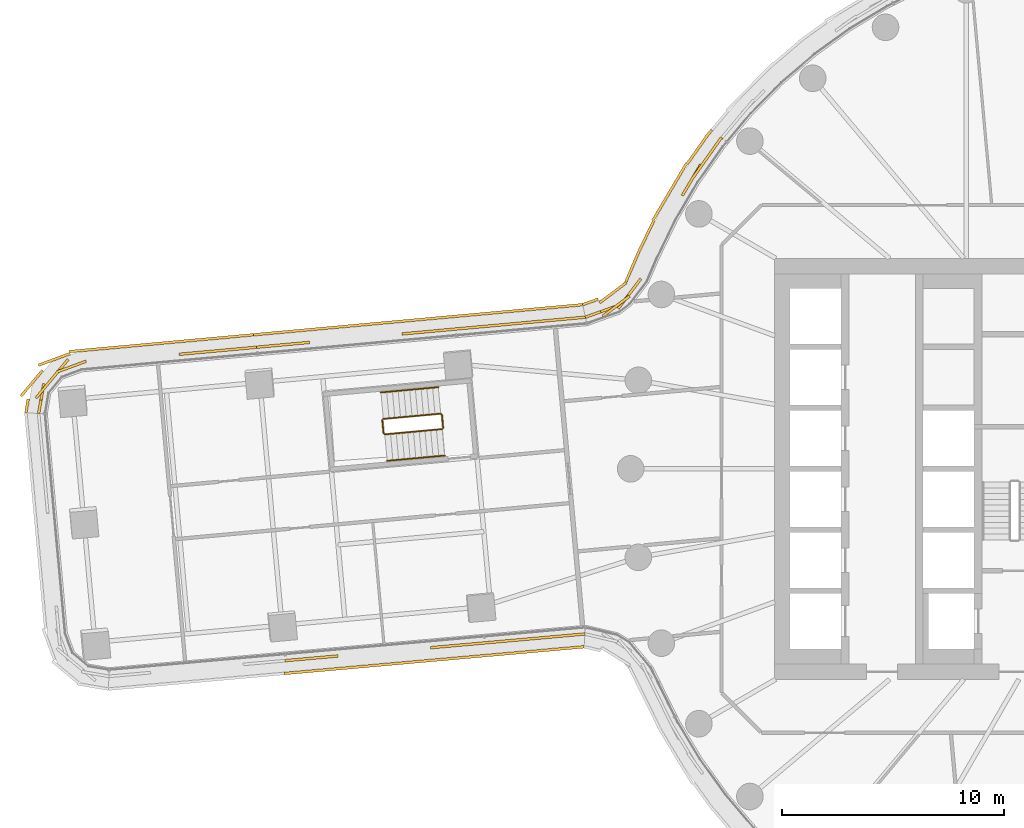
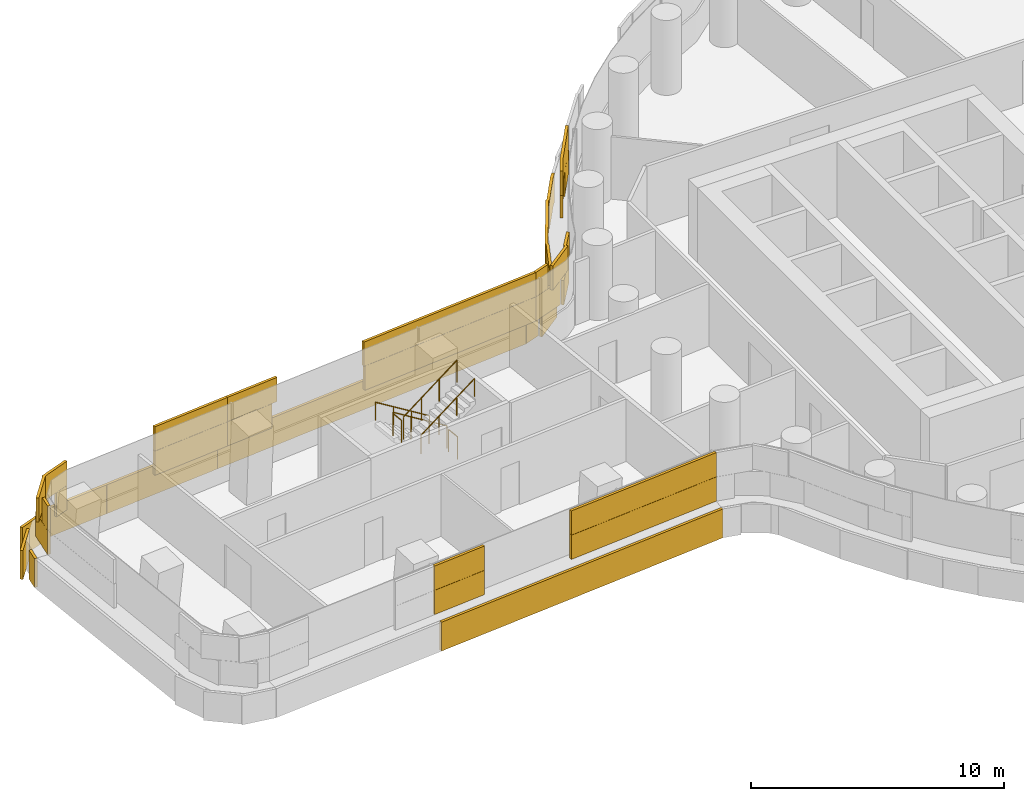
# One storey, part 27 of 31: 6 railings, 4 coverings.
"""IFC4 building model written with IfcOpenShell, lengths in metres."""

from ifc_helpers import new_model, si_unit, direction, frame, origin, origin_2d, place, context, subcontext, project, spatial, rectangle, circle, extrude, material, layer, layer_set, type_object, element, save


model = new_model("IFC4")

# Units and contexts
model_context = context("Model", 3, precision=1e-05, world=origin(), true_north=direction((0.0, 1.0)))
body_context = subcontext(model_context, "Body", "Model", "MODEL_VIEW")
ifc_project = project(units=[si_unit("LENGTHUNIT", "METRE"), si_unit("AREAUNIT", "SQUARE_METRE"), si_unit("VOLUMEUNIT", "CUBIC_METRE"), si_unit("PLANEANGLEUNIT", "RADIAN"), si_unit("MASSUNIT", "GRAM", prefix="KILO")], contexts=[model_context])

# Site, building, storey
site_placement = place(None, origin())
site = spatial("IfcSite", under=ifc_project, at=site_placement, CompositionType="ELEMENT")
building_placement = place(site_placement, origin())
building = spatial("IfcBuilding", under=site, at=building_placement, Name="Tamarind Cross Interchange Tower", CompositionType="ELEMENT")
storey_placement = place(building_placement, frame((0.0, 0.0, 52.75)))
storey = spatial("IfcBuildingStorey", under=building, at=storey_placement, Name="L11", CompositionType="ELEMENT", Elevation=52.75)

# Railings
ifc_material_1 = material(Name="Stair guard")
railing_type_1 = type_object("IfcRailingType", Name="Stair guard", PredefinedType="GUARDRAIL", material=ifc_material_1)
railing_1_placement = place(storey_placement, frame((-31.56640625, 2.4892578125, 0.17041015625)))
element("IfcRailing", 1, at=railing_1_placement, inside=storey, type_object=railing_type_1, Name="L11 ST5 stair guard 1", PredefinedType="GUARDRAIL", context=body_context, shape_type="SweptSolid", body=[
    extrude(circle(Radius=0.02392578125, at=origin_2d()), frame((0.0, 0.0, 1.076171875), z_axis=(-0.832813513811, -0.076095831672, 0.548298345443), x_axis=(0.090992941047, -0.995851537469, 0.0)), (0.0, 0.0, 1.0), 3.10888671875),
    extrude(circle(Radius=0.02099609375, at=origin_2d()), origin(), (0.0, 0.0, 1.0), 1.052001953125),
    extrude(circle(Radius=0.02099609375, at=origin_2d()), frame((-0.863037109375, -0.078857421875, 0.568115234375)), (0.0, 0.0, 1.0), 1.052001953125),
    extrude(circle(Radius=0.02099609375, at=origin_2d()), frame((-1.72607421875, -0.15771484375, 1.136474609375)), (0.0, 0.0, 1.0), 1.052001953125),
    extrude(circle(Radius=0.02099609375, at=origin_2d()), frame((-2.589111328125, -0.236572265625, 1.70458984375)), (0.0, 0.0, 1.0), 1.052001953125),
])
railing_2_placement = place(storey_placement, frame((-34.200927734375, 2.1982421875, 1.875)))
element("IfcRailing", 2, at=railing_2_placement, inside=storey, type_object=railing_type_1, Name="L11 ST5 stair guard 2", PredefinedType="GUARDRAIL", context=body_context, shape_type="SweptSolid", body=[
    extrude(circle(Radius=0.02392578125, at=origin_2d()), frame((0.0, 0.0, 1.076171875), z_axis=(0.09115951448, -0.995836303275, 0.0), x_axis=(0.995836303275, 0.09115951448, 0.0)), (0.0, 0.0, 1.0), 0.599853515625),
    extrude(circle(Radius=0.02099609375, at=origin_2d()), origin(), (0.0, 0.0, 1.0), 1.052001953125),
    extrude(circle(Radius=0.02099609375, at=origin_2d()), frame((0.0546875, -0.597412109375, 0.0)), (0.0, 0.0, 1.0), 1.052001953125),
])
railing_3_placement = place(storey_placement, frame((-34.091796875, 1.555419921875, 2.04541015625)))
element("IfcRailing", 3, at=railing_3_placement, inside=storey, type_object=railing_type_1, Name="L11 ST5 stair guard 3", PredefinedType="GUARDRAIL", context=body_context, shape_type="SweptSolid", body=[
    extrude(circle(Radius=0.02392578125, at=origin_2d()), frame((0.0, 0.0, 1.076171875), z_axis=(0.832808534539, 0.076173906507, 0.548295067247), x_axis=(-0.091086066319, 0.995843024037, 0.0)), (0.0, 0.0, 1.0), 3.10888671875),
    extrude(circle(Radius=0.02099609375, at=origin_2d()), origin(), (0.0, 0.0, 1.0), 1.052001953125),
    extrude(circle(Radius=0.02099609375, at=origin_2d()), frame((0.863037109375, 0.078857421875, 0.568115234375)), (0.0, 0.0, 1.0), 1.052001953125),
    extrude(circle(Radius=0.02099609375, at=origin_2d()), frame((1.72607421875, 0.157958984375, 1.136474609375)), (0.0, 0.0, 1.0), 1.052001953125),
    extrude(circle(Radius=0.02099609375, at=origin_2d()), frame((2.589111328125, 0.23681640625, 1.70458984375)), (0.0, 0.0, 1.0), 1.052001953125),
])
railing_4_placement = place(storey_placement, frame((-31.511962890625, 2.444091796875, 0.0)))
element("IfcRailing", 4, at=railing_4_placement, inside=storey, type_object=railing_type_1, Name="L11 ST5 stair guard 4", PredefinedType="GUARDRAIL", context=body_context, shape_type="SweptSolid", body=[
    extrude(circle(Radius=0.02392578125, at=origin_2d()), frame((0.0, 0.0, 1.076171875), z_axis=(0.090755911814, -0.995873166859, 0.0), x_axis=(0.995873166859, 0.090755911814, 0.0)), (0.0, 0.0, 1.0), 0.599853515625),
    extrude(circle(Radius=0.02099609375, at=origin_2d()), origin(), (0.0, 0.0, 1.0), 1.052001953125),
    extrude(circle(Radius=0.02099609375, at=origin_2d()), frame((0.054443359375, -0.597412109375, 0.0)), (0.0, 0.0, 1.0), 1.052001953125),
])
ifc_material_2 = material(Name="Stair handrail")
railing_type_2 = type_object("IfcRailingType", Name="Stair handrail", PredefinedType="HANDRAIL", material=ifc_material_2)
railing_5_placement = place(storey_placement, frame((-31.675537109375, 3.684326171875, 0.17041015625)))
element("IfcRailing", 5, at=railing_5_placement, inside=storey, type_object=railing_type_2, Name="L11 ST5 stair handrail 1", PredefinedType="HANDRAIL", context=body_context, shape_type="SweptSolid", body=[
    extrude(circle(Radius=0.02392578125, at=origin_2d()), frame((0.0, 0.0, 0.8759765625), z_axis=(-0.832832596061, -0.076168924965, 0.548259210418), x_axis=(0.091077549399, -0.995843803011, 0.0)), (0.0, 0.0, 1.0), 3.109130859375),
    extrude(circle(Radius=0.02099609375, at=origin_2d()), origin(), (0.0, 0.0, 1.0), 0.851806640625),
    extrude(circle(Radius=0.02099609375, at=origin_2d()), frame((-0.863037109375, -0.078857421875, 0.568115234375)), (0.0, 0.0, 1.0), 0.851806640625),
    extrude(circle(Radius=0.02099609375, at=origin_2d()), frame((-1.726318359375, -0.157958984375, 1.136474609375)), (0.0, 0.0, 1.0), 0.851806640625),
    extrude(circle(Radius=0.02099609375, at=origin_2d()), frame((-2.58935546875, -0.23681640625, 1.70458984375)), (0.0, 0.0, 1.0), 0.851806640625),
])
railing_6_placement = place(storey_placement, frame((-33.982666015625, 0.360595703125, 2.04541015625)))
element("IfcRailing", 6, at=railing_6_placement, inside=storey, type_object=railing_type_2, Name="L11 ST5 stair handrail 2", PredefinedType="HANDRAIL", context=body_context, shape_type="SweptSolid", body=[
    extrude(circle(Radius=0.02392578125, at=origin_2d()), frame((0.0, 0.0, 0.8759765625), z_axis=(0.832837574825, 0.076090855177, 0.548262487972), x_axis=(-0.090984432689, 0.995852314858, 0.0)), (0.0, 0.0, 1.0), 3.109130859375),
    extrude(circle(Radius=0.02099609375, at=origin_2d()), origin(), (0.0, 0.0, 1.0), 0.851806640625),
    extrude(circle(Radius=0.02099609375, at=origin_2d()), frame((0.863037109375, 0.078857421875, 0.568115234375)), (0.0, 0.0, 1.0), 0.851806640625),
    extrude(circle(Radius=0.02099609375, at=origin_2d()), frame((1.726318359375, 0.15771484375, 1.136474609375)), (0.0, 0.0, 1.0), 0.851806640625),
    extrude(circle(Radius=0.02099609375, at=origin_2d()), frame((2.58935546875, 0.236572265625, 1.70458984375)), (0.0, 0.0, 1.0), 0.851806640625),
])

# Coverings
ifc_material_3 = material(Name="Terracotta", Category="masonry")
ifc_layer = layer(ifc_material_3, 0.1201171875)
ifc_layer_set = layer_set([ifc_layer], Name="Terracotta")
covering_type = type_object("IfcCoveringType", Name="Terracotta baguette screen unit", PredefinedType="MOLDING", material=ifc_layer_set)
covering_1_placement = place(storey_placement, origin())
element("IfcCovering", 7, at=covering_1_placement, inside=storey, type_object=covering_type, Name="SCR-L11-02-01", PredefinedType="MOLDING", context=body_context, shape_type="SweptSolid", body=[
    extrude(rectangle(XDim=0.04150390625, YDim=0.1201171875, at=origin_2d()), frame((-18.89794921875, 14.91796875, 1.404052734375), z_axis=(0.0, 0.0, 1.0), x_axis=(-0.643009266048, -0.765858396687, 0.0)), (0.0, 0.0, 1.0), 1.1669921875),
    extrude(rectangle(XDim=1.52001953125, YDim=0.1201171875, at=origin_2d()), frame((-19.357666015625, 14.306396484375, 1.404052734375), z_axis=(0.0, 0.0, 1.0), x_axis=(-0.577568978284, -0.816341886298, 0.0)), (0.0, 0.0, 1.0), 1.1669921875),
    extrude(rectangle(XDim=1.52001953125, YDim=0.1201171875, at=origin_2d()), frame((-20.2236328125, 13.08154296875, 1.404052734375), z_axis=(0.0, 0.0, 1.0), x_axis=(-0.508183308752, -0.861248933065, 0.0)), (0.0, 0.0, 1.0), 1.1669921875),
    extrude(rectangle(XDim=1.52001953125, YDim=0.1201171875, at=origin_2d()), frame((-23.099365234375, 7.8369140625, 1.404052734375), z_axis=(0.0, 0.0, 1.0), x_axis=(-0.604332746679, -0.796732032299, 0.0)), (0.0, 0.0, 1.0), 1.1669921875),
    extrude(rectangle(XDim=1.484619140625, YDim=0.1201171875, at=origin_2d()), frame((-24.344970703125, 7.08935546875, 1.404052734375), z_axis=(0.0, 0.0, 1.0), x_axis=(-0.941843785722, -0.336051012939, 0.0)), (0.0, 0.0, 1.0), 1.1669921875),
    extrude(rectangle(XDim=0.79150390625, YDim=0.1201171875, at=origin_2d()), frame((-19.132080078125, 14.62548828125, 2.5791015625), z_axis=(0.0, 0.0, 1.0), x_axis=(-0.577568978284, -0.816341886298, 0.0)), (0.0, 0.0, 1.0), 1.1669921875),
    extrude(rectangle(XDim=1.52001953125, YDim=0.1201171875, at=origin_2d()), frame((-19.791015625, 13.694091796875, 2.5791015625), z_axis=(0.0, 0.0, 1.0), x_axis=(-0.577568978284, -0.816341886298, 0.0)), (0.0, 0.0, 1.0), 1.1669921875),
    extrude(rectangle(XDim=0.881591796875, YDim=0.1201171875, at=origin_2d()), frame((-20.445068359375, 12.706298828125, 2.5791015625), z_axis=(0.0, 0.0, 1.0), x_axis=(-0.508183308752, -0.861248933065, 0.0)), (0.0, 0.0, 1.0), 1.1669921875),
    extrude(rectangle(XDim=0.9384765625, YDim=0.1201171875, at=origin_2d()), frame((-22.81884765625, 8.206787109375, 2.5791015625), z_axis=(0.0, 0.0, 1.0), x_axis=(-0.604332746679, -0.796732032299, 0.0)), (0.0, 0.0, 1.0), 1.1669921875),
    extrude(rectangle(XDim=1.52001953125, YDim=0.1201171875, at=origin_2d()), frame((-23.651123046875, 7.33837890625, 2.5791015625), z_axis=(0.0, 0.0, 1.0), x_axis=(-0.799117316205, -0.601175111711, 0.0)), (0.0, 0.0, 1.0), 1.1669921875),
    extrude(rectangle(XDim=0.734619140625, YDim=0.1201171875, at=origin_2d()), frame((-24.6982421875, 6.96337890625, 2.5791015625), z_axis=(0.0, 0.0, 1.0), x_axis=(-0.941843785722, -0.336051012939, 0.0)), (0.0, 0.0, 1.0), 1.1669921875),
    extrude(rectangle(XDim=0.38916015625, YDim=0.1201171875, at=origin_2d()), frame((-19.46337890625, 15.13720703125, 0.00390625), z_axis=(0.0, 0.0, 1.0), x_axis=(-0.643009266048, -0.765858396687, 0.0)), (0.0, 0.0, 1.0), 1.39208984375),
    extrude(rectangle(XDim=1.52001953125, YDim=0.1201171875, at=origin_2d()), frame((-20.009521484375, 14.379150390625, 0.00390625), z_axis=(0.0, 0.0, 1.0), x_axis=(-0.577568978284, -0.816341886298, 0.0)), (0.0, 0.0, 1.0), 1.39208984375),
    extrude(rectangle(XDim=1.52001953125, YDim=0.1201171875, at=origin_2d()), frame((-20.85498046875, 13.14111328125, 0.00390625), z_axis=(0.0, 0.0, 1.0), x_axis=(-0.508183308752, -0.861248933065, 0.0)), (0.0, 0.0, 1.0), 1.39208984375),
    extrude(rectangle(XDim=1.52001953125, YDim=0.1201171875, at=origin_2d()), frame((-21.6171875, 11.849365234375, 0.00390625), z_axis=(0.0, 0.0, 1.0), x_axis=(-0.508183308752, -0.861248933065, 0.0)), (0.0, 0.0, 1.0), 1.39208984375),
    extrude(rectangle(XDim=1.52001953125, YDim=0.1201171875, at=origin_2d()), frame((-22.28759765625, 10.508056640625, 0.00390625), z_axis=(0.0, 0.0, 1.0), x_axis=(-0.435326231914, -0.900272776334, 0.0)), (0.0, 0.0, 1.0), 1.39208984375),
    extrude(rectangle(XDim=1.52001953125, YDim=0.1201171875, at=origin_2d()), frame((-22.91162109375, 9.14453125, 0.00390625), z_axis=(0.0, 0.0, 1.0), x_axis=(-0.395969383896, -0.91826371322, 0.0)), (0.0, 0.0, 1.0), 1.39208984375),
    extrude(rectangle(XDim=1.52001953125, YDim=0.1201171875, at=origin_2d()), frame((-23.793701171875, 7.94921875, 0.00390625), z_axis=(0.0, 0.0, 1.0), x_axis=(-0.799117316205, -0.601175111711, 0.0)), (0.0, 0.0, 1.0), 1.39208984375),
    extrude(rectangle(XDim=0.740478515625, YDim=0.1201171875, at=origin_2d()), frame((-24.815185546875, 7.531005859375, 0.00390625), z_axis=(0.0, 0.0, 1.0), x_axis=(-0.941843785722, -0.336051012939, 0.0)), (0.0, 0.0, 1.0), 1.39208984375),
])
covering_2_placement = place(storey_placement, origin())
element("IfcCovering", 8, at=covering_2_placement, inside=storey, type_object=covering_type, Name="SCR-L11-03-00", PredefinedType="MOLDING", context=body_context, shape_type="SweptSolid", body=[
    extrude(rectangle(XDim=0.760009765625, YDim=0.1201171875, at=origin_2d()), frame((-25.412841796875, 6.8076171875, 1.404052734375), z_axis=(0.0, 0.0, 1.0), x_axis=(-0.995846347162, -0.091049727316, 0.0)), (0.0, 0.0, 1.0), 1.1669921875),
    extrude(rectangle(XDim=1.52001953125, YDim=0.1201171875, at=origin_2d()), frame((-26.533203125, 6.705078125, 1.404052734375), z_axis=(0.0, 0.0, 1.0), x_axis=(-0.995846347162, -0.091049727316, 0.0)), (0.0, 0.0, 1.0), 1.1669921875),
    extrude(rectangle(XDim=1.52001953125, YDim=0.1201171875, at=origin_2d()), frame((-28.02685546875, 6.568603515625, 1.404052734375), z_axis=(0.0, 0.0, 1.0), x_axis=(-0.995846347162, -0.091049727316, 0.0)), (0.0, 0.0, 1.0), 1.1669921875),
    extrude(rectangle(XDim=1.52001953125, YDim=0.1201171875, at=origin_2d()), frame((-29.520751953125, 6.431884765625, 1.404052734375), z_axis=(0.0, 0.0, 1.0), x_axis=(-0.995846347162, -0.091049727316, 0.0)), (0.0, 0.0, 1.0), 1.1669921875),
    extrude(rectangle(XDim=1.52001953125, YDim=0.1201171875, at=origin_2d()), frame((-31.014404296875, 6.29541015625, 1.404052734375), z_axis=(0.0, 0.0, 1.0), x_axis=(-0.995846347162, -0.091049727316, 0.0)), (0.0, 0.0, 1.0), 1.1669921875),
    extrude(rectangle(XDim=1.52001953125, YDim=0.1201171875, at=origin_2d()), frame((-32.50830078125, 6.15869140625, 1.404052734375), z_axis=(0.0, 0.0, 1.0), x_axis=(-0.995846347162, -0.091049727316, 0.0)), (0.0, 0.0, 1.0), 1.1669921875),
    extrude(rectangle(XDim=1.52001953125, YDim=0.1201171875, at=origin_2d()), frame((-38.4833984375, 5.612548828125, 1.404052734375), z_axis=(0.0, 0.0, 1.0), x_axis=(-0.995846347162, -0.091049727316, 0.0)), (0.0, 0.0, 1.0), 1.1669921875),
    extrude(rectangle(XDim=0.667724609375, YDim=0.1201171875, at=origin_2d()), frame((-39.557861328125, 5.51416015625, 1.404052734375), z_axis=(0.0, 0.0, 1.0), x_axis=(-0.995846347162, -0.091049727316, 0.0)), (0.0, 0.0, 1.0), 1.1669921875),
    extrude(rectangle(XDim=1.510009765625, YDim=0.1201171875, at=origin_2d()), frame((-25.786376953125, 6.7734375, 2.5791015625), z_axis=(0.0, 0.0, 1.0), x_axis=(-0.995846347162, -0.091049727316, 0.0)), (0.0, 0.0, 1.0), 1.1669921875),
    extrude(rectangle(XDim=1.52001953125, YDim=0.1201171875, at=origin_2d()), frame((-27.280029296875, 6.63671875, 2.5791015625), z_axis=(0.0, 0.0, 1.0), x_axis=(-0.995846347162, -0.091049727316, 0.0)), (0.0, 0.0, 1.0), 1.1669921875),
    extrude(rectangle(XDim=1.52001953125, YDim=0.1201171875, at=origin_2d()), frame((-28.77392578125, 6.500244140625, 2.5791015625), z_axis=(0.0, 0.0, 1.0), x_axis=(-0.995846347162, -0.091049727316, 0.0)), (0.0, 0.0, 1.0), 1.1669921875),
    extrude(rectangle(XDim=1.52001953125, YDim=0.1201171875, at=origin_2d()), frame((-30.267578125, 6.36376953125, 2.5791015625), z_axis=(0.0, 0.0, 1.0), x_axis=(-0.995846347162, -0.091049727316, 0.0)), (0.0, 0.0, 1.0), 1.1669921875),
    extrude(rectangle(XDim=1.52001953125, YDim=0.1201171875, at=origin_2d()), frame((-31.761474609375, 6.22705078125, 2.5791015625), z_axis=(0.0, 0.0, 1.0), x_axis=(-0.995846347162, -0.091049727316, 0.0)), (0.0, 0.0, 1.0), 1.1669921875),
    extrude(rectangle(XDim=0.81787109375, YDim=0.1201171875, at=origin_2d()), frame((-32.910400390625, 6.1220703125, 2.5791015625), z_axis=(0.0, 0.0, 1.0), x_axis=(-0.995846347162, -0.091049727316, 0.0)), (0.0, 0.0, 1.0), 1.1669921875),
    extrude(rectangle(XDim=1.002197265625, YDim=0.1201171875, at=origin_2d()), frame((-37.9892578125, 5.65771484375, 2.5791015625), z_axis=(0.0, 0.0, 1.0), x_axis=(-0.995846347162, -0.091049727316, 0.0)), (0.0, 0.0, 1.0), 1.1669921875),
    extrude(rectangle(XDim=1.417724609375, YDim=0.1201171875, at=origin_2d()), frame((-39.184326171875, 5.54833984375, 2.5791015625), z_axis=(0.0, 0.0, 1.0), x_axis=(-0.995846347162, -0.091049727316, 0.0)), (0.0, 0.0, 1.0), 1.1669921875),
    extrude(rectangle(XDim=0.760009765625, YDim=0.1201171875, at=origin_2d()), frame((-25.54248046875, 7.3720703125, 0.00390625), z_axis=(0.0, 0.0, 1.0), x_axis=(-0.995846347162, -0.091049727316, 0.0)), (0.0, 0.0, 1.0), 1.39208984375),
    extrude(rectangle(XDim=1.52001953125, YDim=0.1201171875, at=origin_2d()), frame((-26.65771484375, 7.27001953125, 0.00390625), z_axis=(0.0, 0.0, 1.0), x_axis=(-0.995846347162, -0.091049727316, 0.0)), (0.0, 0.0, 1.0), 1.39208984375),
    extrude(rectangle(XDim=1.52001953125, YDim=0.1201171875, at=origin_2d()), frame((-28.1513671875, 7.133544921875, 0.00390625), z_axis=(0.0, 0.0, 1.0), x_axis=(-0.995846347162, -0.091049727316, 0.0)), (0.0, 0.0, 1.0), 1.39208984375),
    extrude(rectangle(XDim=1.52001953125, YDim=0.1201171875, at=origin_2d()), frame((-29.645263671875, 6.9970703125, 0.00390625), z_axis=(0.0, 0.0, 1.0), x_axis=(-0.995846347162, -0.091049727316, 0.0)), (0.0, 0.0, 1.0), 1.39208984375),
    extrude(rectangle(XDim=1.52001953125, YDim=0.1201171875, at=origin_2d()), frame((-31.138916015625, 6.8603515625, 0.00390625), z_axis=(0.0, 0.0, 1.0), x_axis=(-0.995846347162, -0.091049727316, 0.0)), (0.0, 0.0, 1.0), 1.39208984375),
    extrude(rectangle(XDim=1.52001953125, YDim=0.1201171875, at=origin_2d()), frame((-32.6328125, 6.723876953125, 0.00390625), z_axis=(0.0, 0.0, 1.0), x_axis=(-0.995846347162, -0.091049727316, 0.0)), (0.0, 0.0, 1.0), 1.39208984375),
    extrude(rectangle(XDim=1.52001953125, YDim=0.1201171875, at=origin_2d()), frame((-34.12646484375, 6.587158203125, 0.00390625), z_axis=(0.0, 0.0, 1.0), x_axis=(-0.995846347162, -0.091049727316, 0.0)), (0.0, 0.0, 1.0), 1.39208984375),
    extrude(rectangle(XDim=1.52001953125, YDim=0.1201171875, at=origin_2d()), frame((-35.620361328125, 6.45068359375, 0.00390625), z_axis=(0.0, 0.0, 1.0), x_axis=(-0.995846347162, -0.091049727316, 0.0)), (0.0, 0.0, 1.0), 1.39208984375),
    extrude(rectangle(XDim=1.52001953125, YDim=0.1201171875, at=origin_2d()), frame((-37.114013671875, 6.314208984375, 0.00390625), z_axis=(0.0, 0.0, 1.0), x_axis=(-0.995846347162, -0.091049727316, 0.0)), (0.0, 0.0, 1.0), 1.39208984375),
    extrude(rectangle(XDim=1.52001953125, YDim=0.1201171875, at=origin_2d()), frame((-38.60791015625, 6.177490234375, 0.00390625), z_axis=(0.0, 0.0, 1.0), x_axis=(-0.995846347162, -0.091049727316, 0.0)), (0.0, 0.0, 1.0), 1.39208984375),
    extrude(rectangle(XDim=0.669677734375, YDim=0.1201171875, at=origin_2d()), frame((-39.67822265625, 6.07958984375, 0.00390625), z_axis=(0.0, 0.0, 1.0), x_axis=(-0.995846347162, -0.091049727316, 0.0)), (0.0, 0.0, 1.0), 1.39208984375),
])
covering_3_placement = place(storey_placement, origin())
element("IfcCovering", 9, at=covering_3_placement, inside=storey, type_object=covering_type, Name="SCR-L11-03-01", PredefinedType="MOLDING", context=body_context, shape_type="SweptSolid", body=[
    extrude(rectangle(XDim=0.852294921875, YDim=0.1201171875, at=origin_2d()), frame((-40.3046875, 5.446044921875, 1.404052734375), z_axis=(0.0, 0.0, 1.0), x_axis=(-0.995846347162, -0.091049727316, 0.0)), (0.0, 0.0, 1.0), 1.1669921875),
    extrude(rectangle(XDim=1.52001953125, YDim=0.1201171875, at=origin_2d()), frame((-41.470947265625, 5.33935546875, 1.404052734375), z_axis=(0.0, 0.0, 1.0), x_axis=(-0.995846347162, -0.091049727316, 0.0)), (0.0, 0.0, 1.0), 1.1669921875),
    extrude(rectangle(XDim=1.16796875, YDim=0.1201171875, at=origin_2d()), frame((-42.79443359375, 5.21826171875, 1.404052734375), z_axis=(0.0, 0.0, 1.0), x_axis=(-0.995846347162, -0.091049727316, 0.0)), (0.0, 0.0, 1.0), 1.1669921875),
    extrude(rectangle(XDim=0.652099609375, YDim=0.1201171875, at=origin_2d()), frame((-47.870361328125, 4.7421875, 1.404052734375), z_axis=(0.0, 0.0, 1.0), x_axis=(-0.938348302259, -0.345691283732, 0.0)), (0.0, 0.0, 1.0), 1.1669921875),
    extrude(rectangle(XDim=1.52001953125, YDim=0.1201171875, at=origin_2d()), frame((-48.861572265625, 4.35205078125, 1.404052734375), z_axis=(0.0, 0.0, 1.0), x_axis=(-0.639787825488, -0.768551584708, 0.0)), (0.0, 0.0, 1.0), 1.1669921875),
    extrude(rectangle(XDim=1.3681640625, YDim=0.1201171875, at=origin_2d()), frame((-49.591552734375, 3.168701171875, 1.404052734375), z_axis=(0.0, 0.0, 1.0), x_axis=(-0.16979671755, -0.98547910922, 0.0)), (0.0, 0.0, 1.0), 1.1669921875),
    extrude(rectangle(XDim=0.102294921875, YDim=0.1201171875, at=origin_2d()), frame((-39.93115234375, 5.480224609375, 2.5791015625), z_axis=(0.0, 0.0, 1.0), x_axis=(-0.995846347162, -0.091049727316, 0.0)), (0.0, 0.0, 1.0), 1.1669921875),
    extrude(rectangle(XDim=1.52001953125, YDim=0.1201171875, at=origin_2d()), frame((-40.723876953125, 5.40771484375, 2.5791015625), z_axis=(0.0, 0.0, 1.0), x_axis=(-0.995846347162, -0.091049727316, 0.0)), (0.0, 0.0, 1.0), 1.1669921875),
    extrude(rectangle(XDim=1.52001953125, YDim=0.1201171875, at=origin_2d()), frame((-42.2177734375, 5.27099609375, 2.5791015625), z_axis=(0.0, 0.0, 1.0), x_axis=(-0.995846347162, -0.091049727316, 0.0)), (0.0, 0.0, 1.0), 1.1669921875),
    extrude(rectangle(XDim=0.41796875, YDim=0.1201171875, at=origin_2d()), frame((-43.167724609375, 5.184326171875, 2.5791015625), z_axis=(0.0, 0.0, 1.0), x_axis=(-0.995846347162, -0.091049727316, 0.0)), (0.0, 0.0, 1.0), 1.1669921875),
    extrude(rectangle(XDim=1.402099609375, YDim=0.1201171875, at=origin_2d()), frame((-48.222412109375, 4.612548828125, 2.5791015625), z_axis=(0.0, 0.0, 1.0), x_axis=(-0.938348302259, -0.345691283732, 0.0)), (0.0, 0.0, 1.0), 1.1669921875),
    extrude(rectangle(XDim=1.52001953125, YDim=0.1201171875, at=origin_2d()), frame((-49.34130859375, 3.775634765625, 2.5791015625), z_axis=(0.0, 0.0, 1.0), x_axis=(-0.639787825488, -0.768551584708, 0.0)), (0.0, 0.0, 1.0), 1.1669921875),
    extrude(rectangle(XDim=0.6181640625, YDim=0.1201171875, at=origin_2d()), frame((-49.6552734375, 2.799072265625, 2.5791015625), z_axis=(0.0, 0.0, 1.0), x_axis=(-0.16979671755, -0.98547910922, 0.0)), (0.0, 0.0, 1.0), 1.1669921875),
    extrude(rectangle(XDim=0.850341796875, YDim=0.1201171875, at=origin_2d()), frame((-40.43505859375, 6.010498046875, 0.00390625), z_axis=(0.0, 0.0, 1.0), x_axis=(-0.995846347162, -0.091049727316, 0.0)), (0.0, 0.0, 1.0), 1.39208984375),
    extrude(rectangle(XDim=1.52001953125, YDim=0.1201171875, at=origin_2d()), frame((-41.595458984375, 5.904296875, 0.00390625), z_axis=(0.0, 0.0, 1.0), x_axis=(-0.995846347162, -0.091049727316, 0.0)), (0.0, 0.0, 1.0), 1.39208984375),
    extrude(rectangle(XDim=1.52001953125, YDim=0.1201171875, at=origin_2d()), frame((-43.089111328125, 5.767822265625, 0.00390625), z_axis=(0.0, 0.0, 1.0), x_axis=(-0.995846347162, -0.091049727316, 0.0)), (0.0, 0.0, 1.0), 1.39208984375),
    extrude(rectangle(XDim=1.52001953125, YDim=0.1201171875, at=origin_2d()), frame((-44.5830078125, 5.631103515625, 0.00390625), z_axis=(0.0, 0.0, 1.0), x_axis=(-0.995846347162, -0.091049727316, 0.0)), (0.0, 0.0, 1.0), 1.39208984375),
    extrude(rectangle(XDim=1.52001953125, YDim=0.1201171875, at=origin_2d()), frame((-46.07666015625, 5.49462890625, 0.00390625), z_axis=(0.0, 0.0, 1.0), x_axis=(-0.995846347162, -0.091049727316, 0.0)), (0.0, 0.0, 1.0), 1.39208984375),
    extrude(rectangle(XDim=1.52001953125, YDim=0.1201171875, at=origin_2d()), frame((-47.570556640625, 5.358154296875, 0.00390625), z_axis=(0.0, 0.0, 1.0), x_axis=(-0.995846347162, -0.091049727316, 0.0)), (0.0, 0.0, 1.0), 1.39208984375),
    extrude(rectangle(XDim=1.52001953125, YDim=0.1201171875, at=origin_2d()), frame((-49.000244140625, 4.9375, 0.00390625), z_axis=(0.0, 0.0, 1.0), x_axis=(-0.938348302259, -0.345691283732, 0.0)), (0.0, 0.0, 1.0), 1.39208984375),
    extrude(rectangle(XDim=1.52001953125, YDim=0.1201171875, at=origin_2d()), frame((-50.015380859375, 3.86328125, 0.00390625), z_axis=(0.0, 0.0, 1.0), x_axis=(-0.639787825488, -0.768551584708, 0.0)), (0.0, 0.0, 1.0), 1.39208984375),
    extrude(rectangle(XDim=0.637451171875, YDim=0.1201171875, at=origin_2d()), frame((-50.231201171875, 2.836669921875, 0.00390625), z_axis=(0.0, 0.0, 1.0), x_axis=(-0.16979671755, -0.98547910922, 0.0)), (0.0, 0.0, 1.0), 1.39208984375),
])
covering_4_placement = place(storey_placement, origin())
element("IfcCovering", 10, at=covering_4_placement, inside=storey, type_object=covering_type, Name="SCR-L11-05-01", PredefinedType="MOLDING", context=body_context, shape_type="SweptSolid", body=[
    extrude(rectangle(XDim=0.286865234375, YDim=0.1201171875, at=origin_2d()), frame((-38.4560546875, -8.6435546875, 1.404052734375), z_axis=(0.0, 0.0, 1.0), x_axis=(0.996059781171, 0.088684340968, 0.0)), (0.0, 0.0, 1.0), 1.1669921875),
    extrude(rectangle(XDim=1.52001953125, YDim=0.1201171875, at=origin_2d()), frame((-37.571044921875, -8.564697265625, 1.404052734375), z_axis=(0.0, 0.0, 1.0), x_axis=(0.996059781171, 0.088684340968, 0.0)), (0.0, 0.0, 1.0), 1.1669921875),
    extrude(rectangle(XDim=0.632568359375, YDim=0.1201171875, at=origin_2d()), frame((-36.513916015625, -8.470458984375, 1.404052734375), z_axis=(0.0, 0.0, 1.0), x_axis=(0.996059781171, 0.088684340968, 0.0)), (0.0, 0.0, 1.0), 1.1669921875),
    extrude(rectangle(XDim=1.1875, YDim=0.1201171875, at=origin_2d()), frame((-31.43408203125, -8.018310546875, 1.404052734375), z_axis=(0.0, 0.0, 1.0), x_axis=(0.996059781171, 0.088684340968, 0.0)), (0.0, 0.0, 1.0), 1.1669921875),
    extrude(rectangle(XDim=1.52001953125, YDim=0.1201171875, at=origin_2d()), frame((-30.1005859375, -7.8994140625, 1.404052734375), z_axis=(0.0, 0.0, 1.0), x_axis=(0.996059781171, 0.088684340968, 0.0)), (0.0, 0.0, 1.0), 1.1669921875),
    extrude(rectangle(XDim=1.52001953125, YDim=0.1201171875, at=origin_2d()), frame((-28.6064453125, -7.7666015625, 1.404052734375), z_axis=(0.0, 0.0, 1.0), x_axis=(0.996059781171, 0.088684340968, 0.0)), (0.0, 0.0, 1.0), 1.1669921875),
    extrude(rectangle(XDim=1.52001953125, YDim=0.1201171875, at=origin_2d()), frame((-27.1123046875, -7.633544921875, 1.404052734375), z_axis=(0.0, 0.0, 1.0), x_axis=(0.996059781171, 0.088684340968, 0.0)), (0.0, 0.0, 1.0), 1.1669921875),
    extrude(rectangle(XDim=1.320556640625, YDim=0.1201171875, at=origin_2d()), frame((-25.712646484375, -7.5087890625, 1.404052734375), z_axis=(0.0, 0.0, 1.0), x_axis=(0.996059781171, 0.088684340968, 0.0)), (0.0, 0.0, 1.0), 1.1669921875),
    extrude(rectangle(XDim=1.036865234375, YDim=0.1201171875, at=origin_2d()), frame((-38.08251953125, -8.610107421875, 2.5791015625), z_axis=(0.0, 0.0, 1.0), x_axis=(0.996059781171, 0.088684340968, 0.0)), (0.0, 0.0, 1.0), 1.1669921875),
    extrude(rectangle(XDim=1.382568359375, YDim=0.1201171875, at=origin_2d()), frame((-36.887451171875, -8.50390625, 2.5791015625), z_axis=(0.0, 0.0, 1.0), x_axis=(0.996059781171, 0.088684340968, 0.0)), (0.0, 0.0, 1.0), 1.1669921875),
    extrude(rectangle(XDim=0.4375, YDim=0.1201171875, at=origin_2d()), frame((-31.8076171875, -8.051513671875, 2.5791015625), z_axis=(0.0, 0.0, 1.0), x_axis=(0.996059781171, 0.088684340968, 0.0)), (0.0, 0.0, 1.0), 1.1669921875),
    extrude(rectangle(XDim=1.52001953125, YDim=0.1201171875, at=origin_2d()), frame((-30.84765625, -7.966064453125, 2.5791015625), z_axis=(0.0, 0.0, 1.0), x_axis=(0.996059781171, 0.088684340968, 0.0)), (0.0, 0.0, 1.0), 1.1669921875),
    extrude(rectangle(XDim=1.52001953125, YDim=0.1201171875, at=origin_2d()), frame((-29.353515625, -7.8330078125, 2.5791015625), z_axis=(0.0, 0.0, 1.0), x_axis=(0.996059781171, 0.088684340968, 0.0)), (0.0, 0.0, 1.0), 1.1669921875),
    extrude(rectangle(XDim=1.52001953125, YDim=0.1201171875, at=origin_2d()), frame((-27.859375, -7.699951171875, 2.5791015625), z_axis=(0.0, 0.0, 1.0), x_axis=(0.996059781171, 0.088684340968, 0.0)), (0.0, 0.0, 1.0), 1.1669921875),
    extrude(rectangle(XDim=1.52001953125, YDim=0.1201171875, at=origin_2d()), frame((-26.365234375, -7.56689453125, 2.5791015625), z_axis=(0.0, 0.0, 1.0), x_axis=(0.996059781171, 0.088684340968, 0.0)), (0.0, 0.0, 1.0), 1.1669921875),
    extrude(rectangle(XDim=0.570556640625, YDim=0.1201171875, at=origin_2d()), frame((-25.339111328125, -7.4755859375, 2.5791015625), z_axis=(0.0, 0.0, 1.0), x_axis=(0.996059781171, 0.088684340968, 0.0)), (0.0, 0.0, 1.0), 1.1669921875),
    extrude(rectangle(XDim=0.29345703125, YDim=0.1201171875, at=origin_2d()), frame((-38.47802734375, -9.2216796875, 0.00390625), z_axis=(0.0, 0.0, 1.0), x_axis=(0.996059781171, 0.088684340968, 0.0)), (0.0, 0.0, 1.0), 1.39208984375),
    extrude(rectangle(XDim=1.52001953125, YDim=0.1201171875, at=origin_2d()), frame((-37.5947265625, -9.14306640625, 0.00390625), z_axis=(0.0, 0.0, 1.0), x_axis=(0.996059781171, 0.088684340968, 0.0)), (0.0, 0.0, 1.0), 1.39208984375),
    extrude(rectangle(XDim=1.52001953125, YDim=0.1201171875, at=origin_2d()), frame((-36.1005859375, -9.010009765625, 0.00390625), z_axis=(0.0, 0.0, 1.0), x_axis=(0.996059781171, 0.088684340968, 0.0)), (0.0, 0.0, 1.0), 1.39208984375),
    extrude(rectangle(XDim=1.52001953125, YDim=0.1201171875, at=origin_2d()), frame((-34.6064453125, -8.876953125, 0.00390625), z_axis=(0.0, 0.0, 1.0), x_axis=(0.996059781171, 0.088684340968, 0.0)), (0.0, 0.0, 1.0), 1.39208984375),
    extrude(rectangle(XDim=1.52001953125, YDim=0.1201171875, at=origin_2d()), frame((-33.1123046875, -8.743896484375, 0.00390625), z_axis=(0.0, 0.0, 1.0), x_axis=(0.996059781171, 0.088684340968, 0.0)), (0.0, 0.0, 1.0), 1.39208984375),
    extrude(rectangle(XDim=1.52001953125, YDim=0.1201171875, at=origin_2d()), frame((-31.618408203125, -8.61083984375, 0.00390625), z_axis=(0.0, 0.0, 1.0), x_axis=(0.996059781171, 0.088684340968, 0.0)), (0.0, 0.0, 1.0), 1.39208984375),
    extrude(rectangle(XDim=1.52001953125, YDim=0.1201171875, at=origin_2d()), frame((-30.124267578125, -8.477783203125, 0.00390625), z_axis=(0.0, 0.0, 1.0), x_axis=(0.996059781171, 0.088684340968, 0.0)), (0.0, 0.0, 1.0), 1.39208984375),
    extrude(rectangle(XDim=1.52001953125, YDim=0.1201171875, at=origin_2d()), frame((-28.630126953125, -8.344970703125, 0.00390625), z_axis=(0.0, 0.0, 1.0), x_axis=(0.996059781171, 0.088684340968, 0.0)), (0.0, 0.0, 1.0), 1.39208984375),
    extrude(rectangle(XDim=1.52001953125, YDim=0.1201171875, at=origin_2d()), frame((-27.135986328125, -8.2119140625, 0.00390625), z_axis=(0.0, 0.0, 1.0), x_axis=(0.996059781171, 0.088684340968, 0.0)), (0.0, 0.0, 1.0), 1.39208984375),
    extrude(rectangle(XDim=1.302734375, YDim=0.1201171875, at=origin_2d()), frame((-25.750244140625, -8.08837890625, 0.00390625), z_axis=(0.0, 0.0, 1.0), x_axis=(0.996059781171, 0.088684340968, 0.0)), (0.0, 0.0, 1.0), 1.39208984375),
])

save(model, "model.ifc")
